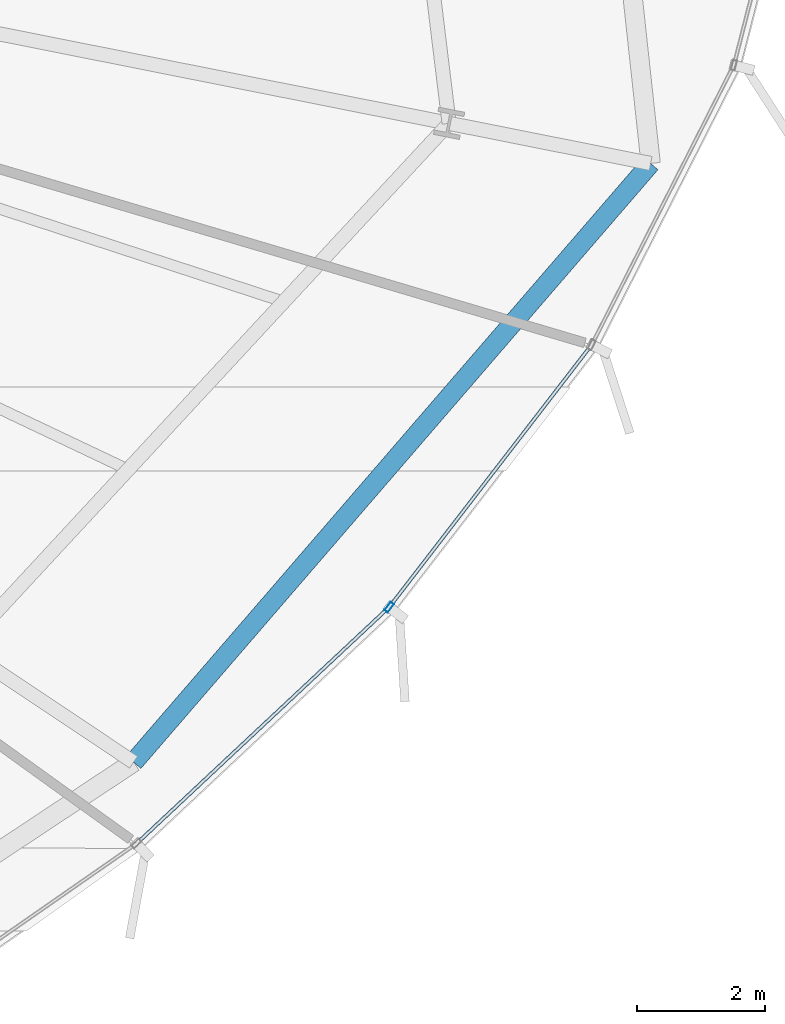
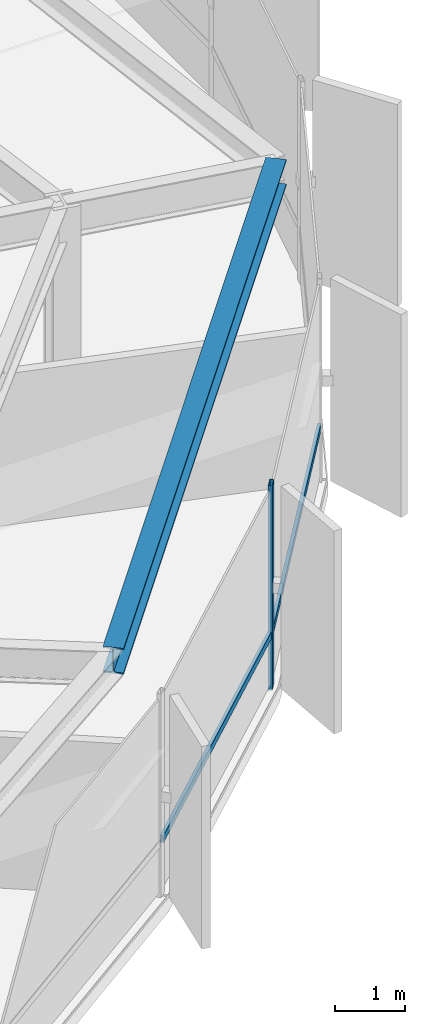
# One storey, part 14 of 37: 3 members, 1 beam, 1 element without a shape of its own.
"""IFC4 building model written with IfcOpenShell, lengths in metres."""

from ifc_helpers import new_model, si_unit, direction, frame, origin, origin_2d, place, context, subcontext, project, spatial, hollow_rectangle, i_section, extrude, source, transform, mapped, material, layer, layer_set, material_profile, profile_set, type_object, element, aggregate, save


model = new_model("IFC4")

# Units and contexts
model_context = context("Model", 3, precision=1e-05, world=origin(), true_north=direction((0.0, 1.0)))
body_context = subcontext(model_context, "Body", "Model", "MODEL_VIEW")
ifc_project = project(units=[si_unit("LENGTHUNIT", "METRE"), si_unit("AREAUNIT", "SQUARE_METRE"), si_unit("VOLUMEUNIT", "CUBIC_METRE"), si_unit("PLANEANGLEUNIT", "RADIAN"), si_unit("MASSUNIT", "GRAM", prefix="KILO"), si_unit("THERMODYNAMICTEMPERATUREUNIT", "KELVIN")], contexts=[model_context])

# Site, building, storey
site_placement = place(None, origin())
site = spatial("IfcSite", under=ifc_project, at=site_placement, CompositionType="ELEMENT")
building_placement = place(site_placement, origin())
building = spatial("IfcBuilding", under=site, at=building_placement, Name="Kethvar Cultural Tower", CompositionType="ELEMENT")
storey_placement = place(building_placement, frame((0.0, 0.0, 60.0)))
storey = spatial("IfcBuildingStorey", under=building, at=storey_placement, Name="L14", CompositionType="ELEMENT", Elevation=60.0)

# Beam
ifc_material_1 = material(Name="Steel S355J2", Category="steel")
ifc_material_profile_1 = material_profile(ifc_material_1, i_section(OverallWidth=0.300048828125, OverallDepth=0.449951171875, WebThickness=0.013916015625, FlangeThickness=0.02587890625, FilletRadius=0.027099609375, at=origin_2d()), Name="Steel S355J2 — HEB450")
ifc_profile_set_1 = profile_set([ifc_material_profile_1], Name="Steel S355J2 — HEB450")
beam_type = type_object("IfcBeamType", Name="BM-SP450", PredefinedType="SPANDREL", material=ifc_profile_set_1)
shared_shape_1 = source(origin(), body_context, "Body", "SweptSolid", [
    extrude(i_section(OverallWidth=0.300048828125, OverallDepth=0.449951171875, WebThickness=0.013916015625, FlangeThickness=0.02587890625, FilletRadius=0.027099609375, at=origin_2d()), origin(), (0.0, 0.0, 1.0), 12.3173828125),
])
beam_placement = place(storey_placement, frame((70.0791015625, 12.24560546875, 3.322998046875), z_axis=(0.653586327045, 0.756851975686, 0.0), x_axis=(-0.756851975686, 0.653586327045, 0.0)))
element("IfcBeam", 1, at=beam_placement, inside=storey, type_object=beam_type, Name="L14 Perimeter Spandrel Beam SP-15", PredefinedType="SPANDREL", context=body_context, shape_type="MappedRepresentation", body=[
    mapped(shared_shape_1, transform((0.0, 0.0, 0.0), scale=1.0)),
])

# Curtain wall, members
ifc_material_2 = material(Name="Aluminium 6063-T6", Category="aluminium")
ifc_layer = layer(ifc_material_2, 0.179931640625, Name="Aluminium 6063-T6", Category="aluminium")
ifc_layer_set = layer_set([ifc_layer], Name="Aluminium 6063-T6 (180 mm)")
curtain_wall_type = type_object("IfcCurtainWallType", Name="CW-SYS-02-Z1", PredefinedType="NOTDEFINED", material=ifc_layer_set)
curtain_wall_placement = place(storey_placement, origin())
curtain_wall = element("IfcCurtainWall", 2, at=curtain_wall_placement, inside=storey, type_object=curtain_wall_type, Name="L14 Curtain Wall Run 06", PredefinedType="NOTDEFINED")
ifc_material_profile_2 = material_profile(ifc_material_2, hollow_rectangle(XDim=0.06494140625, YDim=0.159912109375, WallThickness=0.0048828125, at=origin_2d()), Name="Aluminium 6063-T6 — RHS160x65x5")
ifc_profile_set_2 = profile_set([ifc_material_profile_2], Name="Aluminium 6063-T6 — RHS160x65x5")
member_type_1 = type_object("IfcMemberType", Name="CW-SYS-02-Z1-MUL", PredefinedType="MULLION", material=ifc_profile_set_2)
shared_shape_2 = source(origin(), body_context, "Body", "SweptSolid", [
    extrude(hollow_rectangle(XDim=0.06494140625, YDim=0.159912109375, WallThickness=0.0048828125, at=origin_2d()), origin(), (0.0, 0.0, 1.0), 3.550048828125),
])
member_1_placement = place(storey_placement, frame((74.05859375, 14.65869140625, 0.0), z_axis=(0.0, 0.0, 1.0), x_axis=(-0.791799532131, 0.610781058086, 0.0)))
member_1 = element("IfcMember", 3, at=member_1_placement, type_object=member_type_1, Name="CW-L14-R06 Mullion 3", PredefinedType="MULLION", context=body_context, shape_type="MappedRepresentation", body=[
    mapped(shared_shape_2, transform((0.0, 0.0, 0.0), scale=1.0)),
])
ifc_material_profile_3 = material_profile(ifc_material_2, hollow_rectangle(XDim=0.054931640625, YDim=0.1201171875, WallThickness=0.00390625, at=origin_2d()), Name="Aluminium 6063-T6 — RHS120x55x4")
ifc_profile_set_3 = profile_set([ifc_material_profile_3], Name="Aluminium 6063-T6 — RHS120x55x4")
member_type_2 = type_object("IfcMemberType", Name="CW-SYS-02-Z1-TRN", PredefinedType="USERDEFINED", material=ifc_profile_set_3)
shared_shape_3 = source(origin(), body_context, "Body", "SweptSolid", [
    extrude(hollow_rectangle(XDim=0.054931640625, YDim=0.1201171875, WallThickness=0.00390625, at=origin_2d()), origin(), (0.0, 0.0, 1.0), 5.313232421875),
])
member_2_placement = place(storey_placement, frame((70.158447265625, 11.009765625, 0.949951171875), z_axis=(0.73004139649, 0.683402926107, 0.0), x_axis=(-0.683402926107, 0.73004139649, 0.0)))
member_2 = element("IfcMember", 4, at=member_2_placement, type_object=member_type_2, Name="CW-L14-R06 Transom 2", ObjectType="TRANSOM", PredefinedType="USERDEFINED", context=body_context, shape_type="MappedRepresentation", body=[
    mapped(shared_shape_3, transform((0.0, 0.0, 0.0), scale=1.0)),
])
shared_shape_4 = source(origin(), body_context, "Body", "SweptSolid", [
    extrude(hollow_rectangle(XDim=0.054931640625, YDim=0.1201171875, WallThickness=0.00390625, at=origin_2d()), origin(), (0.0, 0.0, 1.0), 5.088134765625),
])
member_3_placement = place(storey_placement, frame((74.087158203125, 14.695556640625, 0.949951171875), z_axis=(0.610769934713, 0.791808112392, 0.0), x_axis=(-0.791808112392, 0.610769934713, 0.0)))
member_3 = element("IfcMember", 5, at=member_3_placement, type_object=member_type_2, Name="CW-L14-R06 Transom 3", ObjectType="TRANSOM", PredefinedType="USERDEFINED", context=body_context, shape_type="MappedRepresentation", body=[
    mapped(shared_shape_4, transform((0.0, 0.0, 0.0), scale=1.0)),
])
aggregate(curtain_wall, [member_1, member_2, member_3])

save(model, "model.ifc")
